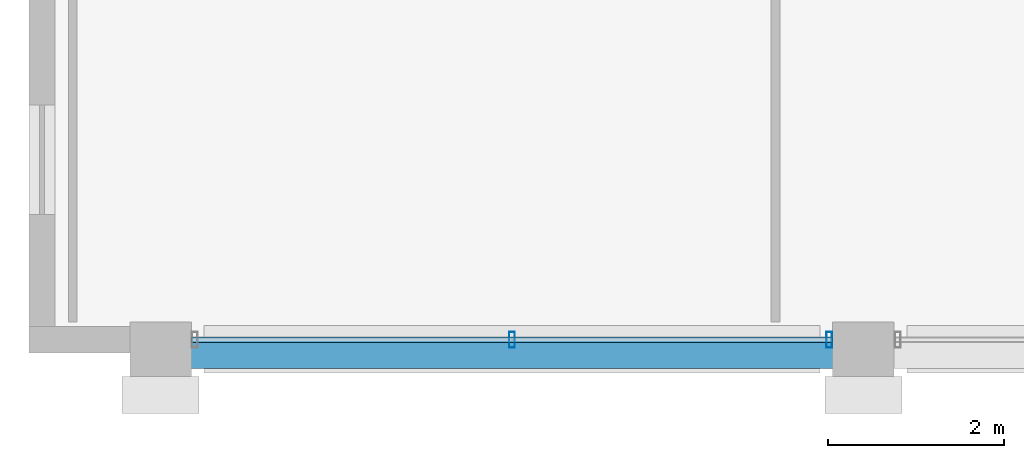
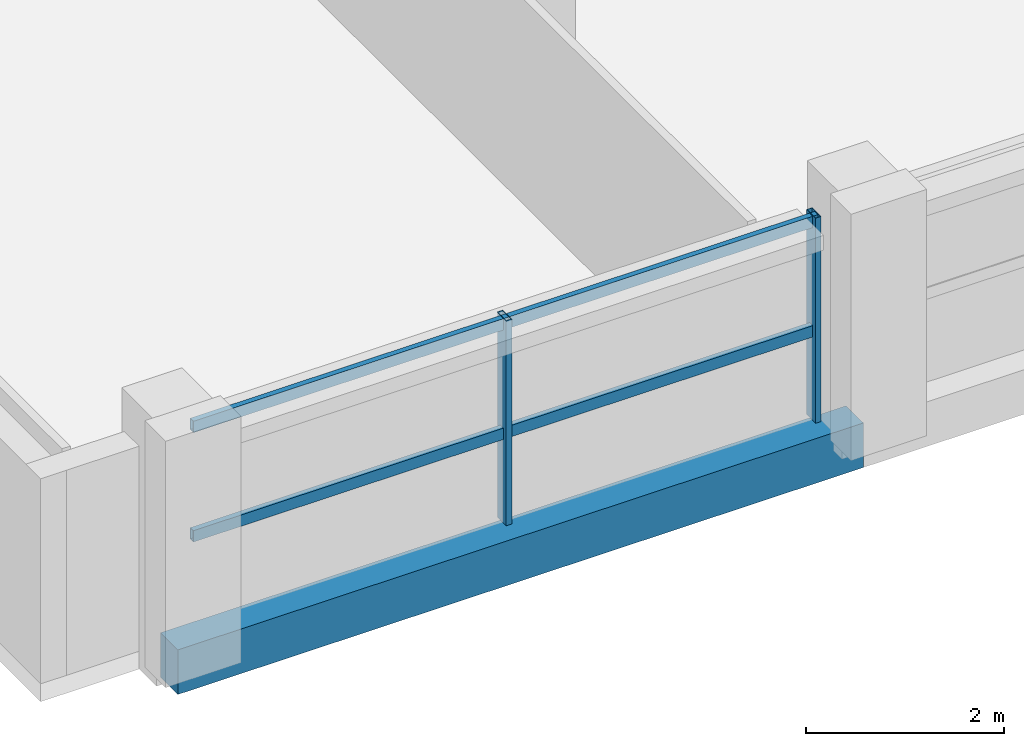
# One storey, part 3 of 24: 4 members, 1 beam, 1 element without a shape of its own.
"""IFC4 building model written with IfcOpenShell, lengths in metres."""

from ifc_helpers import new_model, si_unit, direction, frame, origin, origin_2d, place, context, subcontext, project, spatial, rectangle, hollow_rectangle, extrude, material, material_profile, profile_set, type_object, element, aggregate, save


model = new_model("IFC4")

# Units and contexts
model_context = context("Model", 3, precision=1e-05, world=origin(), true_north=direction((0.0, 1.0)))
body_context = subcontext(model_context, "Body", "Model", "MODEL_VIEW")
ifc_project = project(units=[si_unit("LENGTHUNIT", "METRE"), si_unit("AREAUNIT", "SQUARE_METRE"), si_unit("VOLUMEUNIT", "CUBIC_METRE"), si_unit("PLANEANGLEUNIT", "RADIAN"), si_unit("MASSUNIT", "GRAM", prefix="KILO")], contexts=[model_context])

# Site, building, storey
site_placement = place(None, origin())
site = spatial("IfcSite", under=ifc_project, at=site_placement, CompositionType="ELEMENT")
building_placement = place(site_placement, origin())
building = spatial("IfcBuilding", under=site, at=building_placement, Name="Akrevak Sports Hall", CompositionType="ELEMENT")
storey_placement = place(building_placement, frame((0.0, 0.0, 56.800048828125)))
storey = spatial("IfcBuildingStorey", under=building, at=storey_placement, Name="L14", CompositionType="ELEMENT", Elevation=56.800048828125)

# Curtain wall, members
ifc_material_1 = material(Name="Anodized Bronze Aluminium & Low-E Glass", Category="aluminium")
curtain_wall_type = type_object("IfcCurtainWallType", Name="ARC-CW-TWR-64x30", PredefinedType="NOTDEFINED", material=ifc_material_1)
curtain_wall_placement = place(storey_placement, origin())
curtain_wall = element("IfcCurtainWall", 1, at=curtain_wall_placement, inside=storey, type_object=curtain_wall_type, Name="Curtain Wall CW-L14-S02", PredefinedType="NOTDEFINED")
ifc_material_2 = material(Name="Anodized Bronze Aluminium", Category="aluminium")
ifc_material_profile_1 = material_profile(ifc_material_2, hollow_rectangle(XDim=0.06494140625, YDim=0.179931640625, WallThickness=0.00390625, at=origin_2d()), Name="CWM 65x180", Category="aluminium")
ifc_profile_set_1 = profile_set([ifc_material_profile_1], Name="Anodized Bronze Aluminium")
member_type_1 = type_object("IfcMemberType", Name="ARC-CWM-65x140", PredefinedType="MULLION", material=ifc_profile_set_1)
member_1_placement = place(storey_placement, frame((64.0, 35.550048828125, 0.0), z_axis=(0.0, 0.0, 1.0), x_axis=(1.0, 0.0, 0.0)))
member_1 = element("IfcMember", 2, at=member_1_placement, type_object=member_type_1, Name="Curtain Wall Mullion CW-L14-S02-M2", PredefinedType="MULLION", context=body_context, shape_type="SweptSolid", body=[
    extrude(hollow_rectangle(XDim=0.06494140625, YDim=0.179931640625, WallThickness=0.00390625, at=origin_2d()), origin(), (0.0, 0.0, 1.0), 2.530029296875),
])
member_2_placement = place(storey_placement, frame((67.610107421875, 35.550048828125, 0.0), z_axis=(0.0, 0.0, 1.0), x_axis=(1.0, 0.0, 0.0)))
member_2 = element("IfcMember", 3, at=member_2_placement, type_object=member_type_1, Name="Curtain Wall Mullion CW-L14-S02-M3", PredefinedType="MULLION", context=body_context, shape_type="SweptSolid", body=[
    extrude(hollow_rectangle(XDim=0.06494140625, YDim=0.179931640625, WallThickness=0.00390625, at=origin_2d()), origin(), (0.0, 0.0, 1.0), 2.530029296875),
])
ifc_material_profile_2 = material_profile(ifc_material_2, hollow_rectangle(XDim=0.06494140625, YDim=0.139892578125, WallThickness=0.00390625, at=origin_2d()), Name="CWT 65x140", Category="aluminium")
ifc_profile_set_2 = profile_set([ifc_material_profile_2], Name="Anodized Bronze Aluminium")
member_type_2 = type_object("IfcMemberType", Name="ARC-CWT-65x110", PredefinedType="USERDEFINED", material=ifc_profile_set_2)
member_3_placement = place(storey_placement, frame((60.35009765625, 35.550048828125, 1.099853515625), z_axis=(1.0, 0.0, 0.0), x_axis=(0.0, 1.0, 0.0)))
member_3 = element("IfcMember", 4, at=member_3_placement, type_object=member_type_2, Name="Curtain Wall Transom CW-L14-S02-T1", ObjectType="TRANSOM", PredefinedType="USERDEFINED", context=body_context, shape_type="SweptSolid", body=[
    extrude(hollow_rectangle(XDim=0.06494140625, YDim=0.139892578125, WallThickness=0.00390625, at=origin_2d()), origin(), (0.0, 0.0, 1.0), 7.2998046875),
])
member_4_placement = place(storey_placement, frame((60.35009765625, 35.550048828125, 2.449951171875), z_axis=(1.0, 0.0, 0.0), x_axis=(0.0, 1.0, 0.0)))
member_4 = element("IfcMember", 5, at=member_4_placement, type_object=member_type_2, Name="Curtain Wall Transom CW-L14-S02-T2", ObjectType="TRANSOM", PredefinedType="USERDEFINED", context=body_context, shape_type="SweptSolid", body=[
    extrude(hollow_rectangle(XDim=0.06494140625, YDim=0.139892578125, WallThickness=0.00390625, at=origin_2d()), origin(), (0.0, 0.0, 1.0), 7.2998046875),
])
aggregate(curtain_wall, [member_1, member_2, member_3, member_4])

# Beam
ifc_material_3 = material(Name="Concrete C40/50", Category="concrete")
ifc_material_profile_3 = material_profile(ifc_material_3, rectangle(XDim=0.35009765625, YDim=0.550048828125, at=origin_2d()), Name="BM 350x550", Category="concrete")
ifc_profile_set_3 = profile_set([ifc_material_profile_3], Name="Concrete C40/50")
beam_type = type_object("IfcBeamType", Name="STR-BM-RC350x550", PredefinedType="BEAM", material=ifc_profile_set_3)
beam_placement = place(storey_placement, frame((60.0, 35.39990234375, -0.275146484375), z_axis=(1.0, 0.0, 0.0), x_axis=(0.0, 1.0, 0.0)))
element("IfcBeam", 6, at=beam_placement, inside=storey, type_object=beam_type, Name="Girder F/9-10 (L14)", PredefinedType="BEAM", context=body_context, shape_type="SweptSolid", body=[
    extrude(rectangle(XDim=0.35009765625, YDim=0.550048828125, at=origin_2d()), origin(), (0.0, 0.0, 1.0), 8.0),
])

save(model, "model.ifc")
